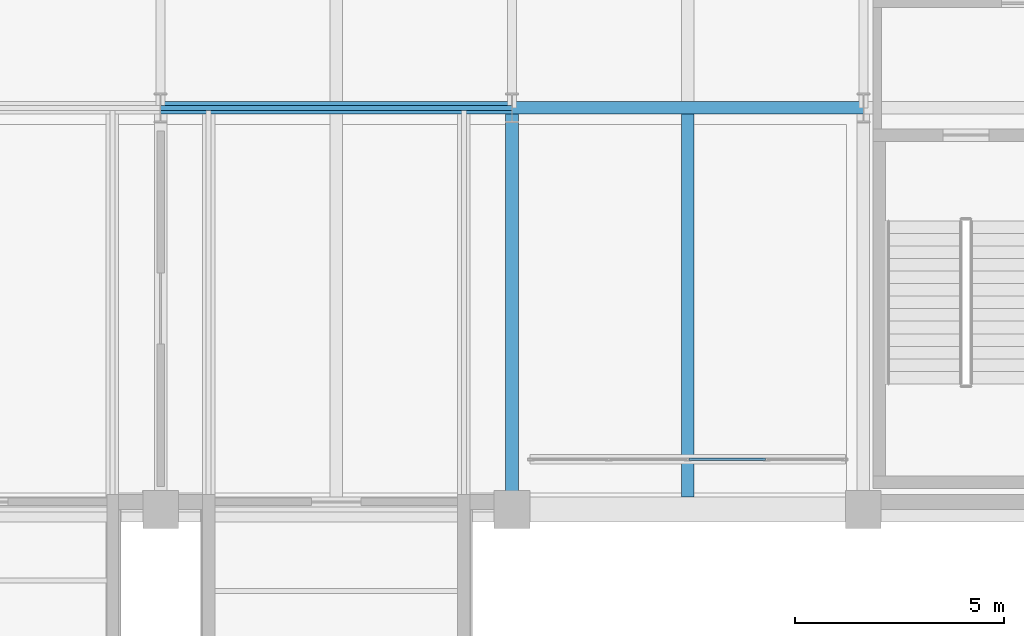
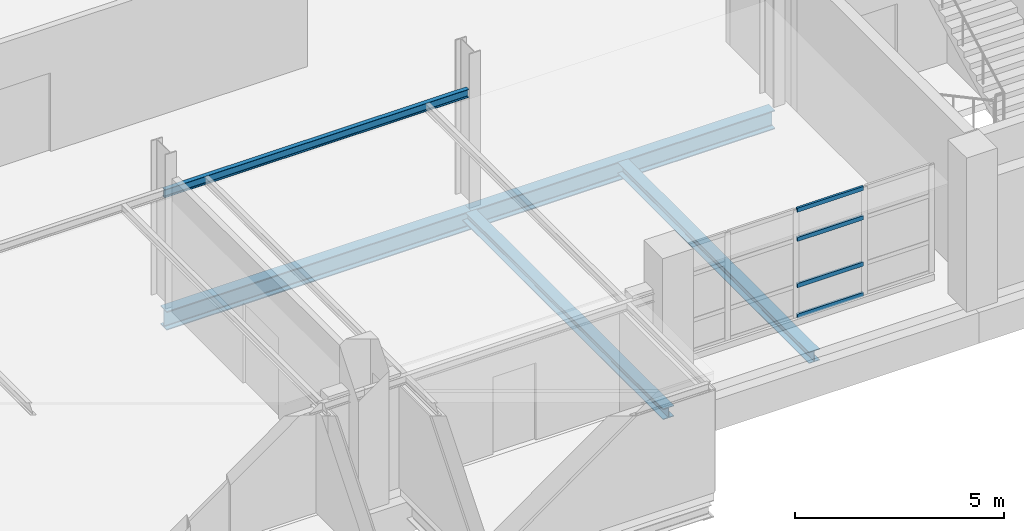
# One storey, part 27 of 113: 5 beams, 4 members, 1 element without a shape of its own.
"""IFC4 building model written with IfcOpenShell, lengths in metres."""

import ifcopenshell
import ifcopenshell.guid

model = None  # the IFC model being written
_history = None  # IfcOwnerHistory: only IFC2X3 demands one
_inside = {}  # id of a spatial element -> (the spatial element, [elements in it])
_under = {}  # id of a project, library or spatial element -> (it, [spatial elements below it])
_declared = {}  # id of a project -> (the project, [libraries it declares])
_typed = {}  # id of a type object -> (the type object, [elements of that type])
_made_of = {}  # id of a material, layer set ... -> (it, [elements and type objects made of it])


def new_model(schema):
    """Start an empty IFC model of exactly this schema.

    Asked for "IFC4X3", IfcOpenShell would pick the latest addendum, in which some entities
    have other attributes; the version numbers below select the first issue.
    IFC2X3 requires an IfcOwnerHistory on every rooted entity: one is made here for all.
    """
    global model, _history
    if schema == "IFC4X3":
        model = ifcopenshell.file(schema_version=(4, 3, 0, 0))
    else:
        model = ifcopenshell.file(schema=schema)
    _inside.clear()
    _under.clear()
    _declared.clear()
    _typed.clear()
    _made_of.clear()
    _history = None
    if model.schema == "IFC2X3":
        org = make("IfcOrganization", Name="unknown")
        user = make(
            "IfcPersonAndOrganization",
            ThePerson=make("IfcPerson", FamilyName="unknown"),
            TheOrganization=org,
        )
        app = make(
            "IfcApplication",
            ApplicationDeveloper=org,
            Version="unknown",
            ApplicationFullName="unknown",
            ApplicationIdentifier="unknown",
        )
        _history = make(
            "IfcOwnerHistory",
            OwningUser=user,
            OwningApplication=app,
            ChangeAction="ADDED",
            CreationDate=0,
        )
    return model


def make(cls, **values):
    """One entity of the class cls with the attributes given. An attribute that is None is left unset."""
    return model.create_entity(
        cls, **{name: value for name, value in values.items() if value is not None}
    )


def rooted(cls, **values):
    """An entity with a GlobalId (a new one), such as an element, a storey or a relation."""
    return make(cls, GlobalId=ifcopenshell.guid.new(), OwnerHistory=_history, **values)


def si_unit(unit_type, name, prefix=None):
    """IfcSIUnit, for example si_unit("LENGTHUNIT", "METRE", prefix="MILLI")."""
    return make("IfcSIUnit", UnitType=unit_type, Prefix=prefix, Name=name)


def assignment(units):
    """IfcUnitAssignment: the units of a project."""
    return None if units is None else make("IfcUnitAssignment", Units=units)


def point(xyz):
    """IfcCartesianPoint."""
    return None if xyz is None else make("IfcCartesianPoint", Coordinates=xyz)


def direction(xyz):
    """IfcDirection."""
    return None if xyz is None else make("IfcDirection", DirectionRatios=xyz)


def frame(location, z_axis=None, x_axis=None):
    """IfcAxis2Placement3D, a coordinate frame: its origin and axes. An axis left out is left unset."""
    return make(
        "IfcAxis2Placement3D",
        Location=point(location),
        Axis=direction(z_axis),
        RefDirection=direction(x_axis),
    )


def frame_2d(location, x_axis=None):
    """IfcAxis2Placement2D, a coordinate frame in the plane: its origin and x axis."""
    return make(
        "IfcAxis2Placement2D", Location=point(location), RefDirection=direction(x_axis)
    )


def origin():
    """The frame at (0, 0, 0) with its axes left unset."""
    return frame((0.0, 0.0, 0.0))


def origin_2d():
    """The frame at (0, 0) in the plane with its x axis left unset."""
    return frame_2d((0.0, 0.0))


def place(relative_to, where):
    """IfcLocalPlacement: puts the frame where relative to a parent placement (None: the world)."""
    return make(
        "IfcLocalPlacement", PlacementRelTo=relative_to, RelativePlacement=where
    )


def context(
    kind, dimensions, precision=None, world=None, true_north=None, identifier=None
):
    """IfcGeometricRepresentationContext, for example the 3D "Model" context."""
    return make(
        "IfcGeometricRepresentationContext",
        ContextIdentifier=identifier,
        ContextType=kind,
        CoordinateSpaceDimension=dimensions,
        Precision=precision,
        WorldCoordinateSystem=world,
        TrueNorth=true_north,
    )


def subcontext(parent, identifier, kind, view, scale=None):
    """IfcGeometricRepresentationSubContext, for example "Body" below "Model"."""
    return make(
        "IfcGeometricRepresentationSubContext",
        ContextIdentifier=identifier,
        ContextType=kind,
        ParentContext=parent,
        TargetScale=scale,
        TargetView=view,
    )


def project(units=None, contexts=None):
    """IfcProject with its units and contexts."""
    return rooted(
        "IfcProject",
        Name="project",
        RepresentationContexts=contexts,
        UnitsInContext=assignment(units),
    )


def spatial(cls, under=None, at=None, **own):
    """A site, building, storey or space (cls), placed at a placement, below another one or the project."""
    s = rooted(cls, ObjectPlacement=at, **own)
    if under is not None:
        _under.setdefault(under.id(), (under, []))[1].append(s)
    return s


def profile(cls, at=None, kind="AREA", **sizes):
    """A parametric profile (cls). Its sizes go by their IFC names, for example OverallWidth=200.0."""
    return make(cls, ProfileType=kind, Position=at, **sizes)


def hollow_rectangle(**sizes):
    """IfcRectangleHollowProfileDef."""
    return profile("IfcRectangleHollowProfileDef", **sizes)


def i_section(**sizes):
    """IfcIShapeProfileDef."""
    return profile("IfcIShapeProfileDef", **sizes)


def extrude(swept, where, along, depth):
    """IfcExtrudedAreaSolid: the profile swept, set in the frame where, extruded along a direction by depth."""
    return make(
        "IfcExtrudedAreaSolid",
        SweptArea=swept,
        Position=where,
        ExtrudedDirection=direction(along),
        Depth=depth,
    )


def shape(context_of_items, identifier, shape_type, items):
    """IfcShapeRepresentation: the items that make up one representation, for example the "Body"."""
    return make(
        "IfcShapeRepresentation",
        ContextOfItems=context_of_items,
        RepresentationIdentifier=identifier,
        RepresentationType=shape_type,
        Items=items,
    )


def material(Name=None, Category=None):
    """IfcMaterial."""
    return make("IfcMaterial", Name=Name, Category=Category)


def material_profile(
    of_material, cross_section, Name=None, Category=None, Priority=None
):
    """IfcMaterialProfile: a cross section and its material."""
    return make(
        "IfcMaterialProfile",
        Name=Name,
        Material=of_material,
        Profile=cross_section,
        Priority=Priority,
        Category=Category,
    )


def profile_set(profiles, Name=None, composite=None):
    """IfcMaterialProfileSet."""
    return make(
        "IfcMaterialProfileSet",
        Name=Name,
        MaterialProfiles=profiles,
        CompositeProfile=composite,
    )


def made_of(thing, what):
    """Note that an element or type object is made of a material, layer set ...; save() writes the relation."""
    if what is not None:
        _made_of.setdefault(what.id(), (what, []))[1].append(thing)
    return thing


def type_object(cls, material=None, **own):
    """A type object (cls), such as IfcWallType, which elements share."""
    return made_of(rooted(cls, **own), material)


def element(
    cls,
    number,
    at=None,
    inside=None,
    cuts=None,
    type_object=None,
    material=None,
    context=None,
    identifier="Body",
    shape_type=None,
    held_by="IfcProductDefinitionShape",
    body=None,
    shapes=None,
    **own,
):
    """One element of the class cls, such as IfcWall. Its Tag is "e" and its number.

    at: its placement. inside: the storey or other place that contains it. cuts: it is an
    opening in that element (IfcRelVoidsElement). A single representation is given by context,
    identifier, shape_type and body (its items); several are given by shapes. held_by: the class
    of the entity that holds the representations. save() writes the other relations.
    """
    e = rooted(cls, Tag="e%d" % number, ObjectPlacement=at, **own)
    if body is not None:
        shapes = [shape(context, identifier, shape_type, body)]
    if shapes is not None:
        e.Representation = make(held_by, Representations=shapes)
    if inside is not None:
        _inside.setdefault(inside.id(), (inside, []))[1].append(e)
    if cuts is not None:
        rooted(
            "IfcRelVoidsElement", RelatingBuildingElement=cuts, RelatedOpeningElement=e
        )
    if type_object is not None:
        _typed.setdefault(type_object.id(), (type_object, []))[1].append(e)
    return made_of(e, material)


def aggregate(whole, parts):
    """IfcRelAggregates: a whole, such as a stair, and the parts it consists of."""
    return rooted("IfcRelAggregates", RelatingObject=whole, RelatedObjects=parts)


def save(model, path):
    """Write the relations noted so far, then the file.

    IfcRelAggregates (storeys below a building ...), IfcRelContainedInSpatialStructure (elements
    in a storey), IfcRelDefinesByType, IfcRelAssociatesMaterial and IfcRelDeclares: one each for
    every whole, place, type object, material and project.
    """
    for whole, parts in _under.values():
        aggregate(whole, parts)
    for where, things in _inside.values():
        rooted(
            "IfcRelContainedInSpatialStructure",
            RelatedElements=things,
            RelatingStructure=where,
        )
    for kind, things in _typed.values():
        rooted("IfcRelDefinesByType", RelatedObjects=things, RelatingType=kind)
    for what, things in _made_of.values():
        rooted("IfcRelAssociatesMaterial", RelatedObjects=things, RelatingMaterial=what)
    for by, libraries in _declared.values():
        rooted("IfcRelDeclares", RelatingContext=by, RelatedDefinitions=libraries)
    model.write(path)


model = new_model("IFC4")

# Units and contexts
model_context = context("Model", 3, precision=1e-05, world=origin(), true_north=direction((0.0, 1.0)))
body_context = subcontext(model_context, "Body", "Model", "MODEL_VIEW")
ifc_project = project(units=[si_unit("LENGTHUNIT", "METRE"), si_unit("AREAUNIT", "SQUARE_METRE"), si_unit("VOLUMEUNIT", "CUBIC_METRE"), si_unit("PLANEANGLEUNIT", "RADIAN"), si_unit("MASSUNIT", "GRAM", prefix="KILO")], contexts=[model_context])

# Site, building, storey
site_placement = place(None, origin())
site = spatial("IfcSite", under=ifc_project, at=site_placement, CompositionType="ELEMENT")
building_placement = place(site_placement, origin())
building = spatial("IfcBuilding", under=site, at=building_placement, Name="Veltarok Museum of Natural Sciences", CompositionType="ELEMENT")
storey_placement = place(building_placement, frame((0.0, 0.0, 8.39990234375)))
storey = spatial("IfcBuildingStorey", under=building, at=storey_placement, Name="L01", CompositionType="ELEMENT", Elevation=8.39990234375)

# Beam
ifc_material_1 = material(Name="Steel S355J2", Category="steel")
ifc_material_profile_1 = material_profile(ifc_material_1, i_section(OverallWidth=0.1201171875, OverallDepth=0.239990234375, WebThickness=0.006103515625, FlangeThickness=0.009765625, FilletRadius=0.014892578125, at=origin_2d()), Name="IPE 240")
ifc_profile_set_1 = profile_set([ifc_material_profile_1], Name="Steel S355J2")
beam_type_1 = type_object("IfcBeamType", Name="Cabinet Box Secondary Joist IPE 240", PredefinedType="JOIST", material=ifc_profile_set_1)
beam_1_placement = place(storey_placement, frame((73.60009765625, 9.60009765625, 3.130126953125), z_axis=(1.0, 0.0, 0.0), x_axis=(0.0, 1.0, 0.0)))
element("IfcBeam", 1, at=beam_1_placement, inside=storey, type_object=beam_type_1, Name="Cabinet Roof Tie Beam DB-04-I", PredefinedType="JOIST", context=body_context, shape_type="SweptSolid", body=[
    extrude(i_section(OverallWidth=0.1201171875, OverallDepth=0.239990234375, WebThickness=0.006103515625, FlangeThickness=0.009765625, FilletRadius=0.014892578125, at=origin_2d()), origin(), (0.0, 0.0, 1.0), 8.39990234375),
])

# Curtain wall, members
ifc_material_2 = material(Name="Low-iron triple insulated glass", Category="glass")
curtain_wall_type = type_object("IfcCurtainWallType", Name="Curtain Wall System CW-CAB-L01-A-755x315 (V1 Recessed L01 755x315cm)", PredefinedType="NOTDEFINED", material=ifc_material_2)
curtain_wall_placement = place(storey_placement, origin())
curtain_wall = element("IfcCurtainWall", 2, at=curtain_wall_placement, inside=storey, type_object=curtain_wall_type, Name="Curtain Wall CW-CAB-L01-A-755x315 CW-0002", PredefinedType="NOTDEFINED")
ifc_material_3 = material(Name="Thermally broken anodised aluminium", Category="aluminium")
ifc_material_profile_2 = material_profile(ifc_material_3, hollow_rectangle(XDim=0.06005859375, YDim=0.1201171875, WallThickness=0.0048828125, at=origin_2d()), Name="CW TRANSOM 60x120x5")
ifc_profile_set_2 = profile_set([ifc_material_profile_2], Name="Thermally broken anodised aluminium")
member_type = type_object("IfcMemberType", Name="Curtain Wall Horizontal Transom 60x120x5", PredefinedType="USERDEFINED", material=ifc_profile_set_2)
member_1_placement = place(storey_placement, frame((86.22998046875, 1.199951171875, 0.210205078125), z_axis=(1.0, 0.0, 0.0), x_axis=(0.0, 1.0, 0.0)))
member_1 = element("IfcMember", 3, at=member_1_placement, type_object=member_type, Name="CW-CAB-L01-A-755x315 transom 3.1", ObjectType="TRANSOM", PredefinedType="USERDEFINED", context=body_context, shape_type="SweptSolid", body=[
    extrude(hollow_rectangle(XDim=0.06005859375, YDim=0.1201171875, WallThickness=0.0048828125, at=origin_2d()), origin(), (0.0, 0.0, 1.0), 1.82763671875),
])
member_2_placement = place(storey_placement, frame((86.22998046875, 1.199951171875, 1.10009765625), z_axis=(1.0, 0.0, 0.0), x_axis=(0.0, 1.0, 0.0)))
member_2 = element("IfcMember", 4, at=member_2_placement, type_object=member_type, Name="CW-CAB-L01-A-755x315 transom 3.2", ObjectType="TRANSOM", PredefinedType="USERDEFINED", context=body_context, shape_type="SweptSolid", body=[
    extrude(hollow_rectangle(XDim=0.06005859375, YDim=0.1201171875, WallThickness=0.0048828125, at=origin_2d()), origin(), (0.0, 0.0, 1.0), 1.82763671875),
])
member_3_placement = place(storey_placement, frame((86.22998046875, 1.199951171875, 2.4501953125), z_axis=(1.0, 0.0, 0.0), x_axis=(0.0, 1.0, 0.0)))
member_3 = element("IfcMember", 5, at=member_3_placement, type_object=member_type, Name="CW-CAB-L01-A-755x315 transom 3.3", ObjectType="TRANSOM", PredefinedType="USERDEFINED", context=body_context, shape_type="SweptSolid", body=[
    extrude(hollow_rectangle(XDim=0.06005859375, YDim=0.1201171875, WallThickness=0.0048828125, at=origin_2d()), origin(), (0.0, 0.0, 1.0), 1.82763671875),
])
member_4_placement = place(storey_placement, frame((86.22998046875, 1.199951171875, 3.30517578125), z_axis=(1.0, 0.0, 0.0), x_axis=(0.0, 1.0, 0.0)))
member_4 = element("IfcMember", 6, at=member_4_placement, type_object=member_type, Name="CW-CAB-L01-A-755x315 transom 3.4", ObjectType="TRANSOM", PredefinedType="USERDEFINED", context=body_context, shape_type="SweptSolid", body=[
    extrude(hollow_rectangle(XDim=0.06005859375, YDim=0.1201171875, WallThickness=0.0048828125, at=origin_2d()), origin(), (0.0, 0.0, 1.0), 1.82763671875),
])
aggregate(curtain_wall, [member_1, member_2, member_3, member_4])

# Beams
ifc_material_profile_3 = material_profile(ifc_material_1, i_section(OverallWidth=0.300048828125, OverallDepth=0.330078125, WebThickness=0.009521484375, FlangeThickness=0.0166015625, FilletRadius=0.027099609375, at=origin_2d()), Name="HEA 340")
ifc_profile_set_3 = profile_set([ifc_material_profile_3], Name="Steel S355J2")
beam_type_2 = type_object("IfcBeamType", Name="Exhibition Floor Joist HEA 340", PredefinedType="JOIST", material=ifc_profile_set_3)
beam_2_placement = place(storey_placement, frame((86.199951171875, 0.298095703125, -0.414794921875), z_axis=(0.0, 1.0, 0.0), x_axis=(-1.0, 0.0, 0.0)))
element("IfcBeam", 7, at=beam_2_placement, inside=storey, type_object=beam_type_2, Name="Secondary Joist BM-J08 L01 10-11/A-B.1", PredefinedType="JOIST", context=body_context, shape_type="SweptSolid", body=[
    extrude(i_section(OverallWidth=0.300048828125, OverallDepth=0.330078125, WebThickness=0.009521484375, FlangeThickness=0.0166015625, FilletRadius=0.027099609375, at=origin_2d()), origin(), (0.0, 0.0, 1.0), 9.15380859375),
])
ifc_material_profile_4 = material_profile(ifc_material_1, i_section(OverallWidth=0.300048828125, OverallDepth=0.550048828125, WebThickness=0.014892578125, FlangeThickness=0.029052734375, FilletRadius=0.027099609375, at=origin_2d()), Name="HEB 550")
ifc_profile_set_4 = profile_set([ifc_material_profile_4], Name="Steel S355J2")
beam_type_3 = type_object("IfcBeamType", Name="Gallery Girder HEB 550", PredefinedType="BEAM", material=ifc_profile_set_4)
for number, where, z_axis, x_axis, name in (
    (8, (73.60009765625, 9.60009765625, -0.52490234375), (1.0, 0.0, 0.0), (0.0, 1.0, 0.0), "Beam BM-G10 L01 9-10/B"),
    (9, (82.0, 9.60009765625, -0.52490234375), (1.0, 0.0, 0.0), (0.0, 1.0, 0.0), "Beam BM-G10 L01 10-11/B"),
):
    element("IfcBeam", number, at=place(storey_placement, frame(where, z_axis=z_axis, x_axis=x_axis)), inside=storey, type_object=beam_type_3, Name=name, PredefinedType="BEAM", context=body_context, shape_type="SweptSolid", body=[
        extrude(i_section(OverallWidth=0.300048828125, OverallDepth=0.550048828125, WebThickness=0.014892578125, FlangeThickness=0.029052734375, FilletRadius=0.027099609375, at=origin_2d()), origin(), (0.0, 0.0, 1.0), 8.39990234375),
    ])
ifc_material_profile_5 = material_profile(ifc_material_1, i_section(OverallWidth=0.300048828125, OverallDepth=0.320068359375, WebThickness=0.011474609375, FlangeThickness=0.0205078125, FilletRadius=0.027099609375, at=origin_2d()), Name="HEB 320")
ifc_profile_set_5 = profile_set([ifc_material_profile_5], Name="Steel S355J2")
beam_type_4 = type_object("IfcBeamType", Name="Perimeter Sawtooth Spandrel HEB 320", PredefinedType="SPANDREL", material=ifc_profile_set_5)
beam_3_placement = place(storey_placement, frame((82.0, 0.0, -0.409912109375), z_axis=(0.0, 1.0, 0.0), x_axis=(-1.0, 0.0, 0.0)))
element("IfcBeam", 10, at=beam_3_placement, inside=storey, type_object=beam_type_4, Name="Beam BM-SP06 L01 10/A-B", PredefinedType="SPANDREL", context=body_context, shape_type="SweptSolid", body=[
    extrude(i_section(OverallWidth=0.300048828125, OverallDepth=0.320068359375, WebThickness=0.011474609375, FlangeThickness=0.0205078125, FilletRadius=0.027099609375, at=origin_2d()), origin(), (0.0, 0.0, 1.0), 9.60009765625),
])

save(model, "model.ifc")
